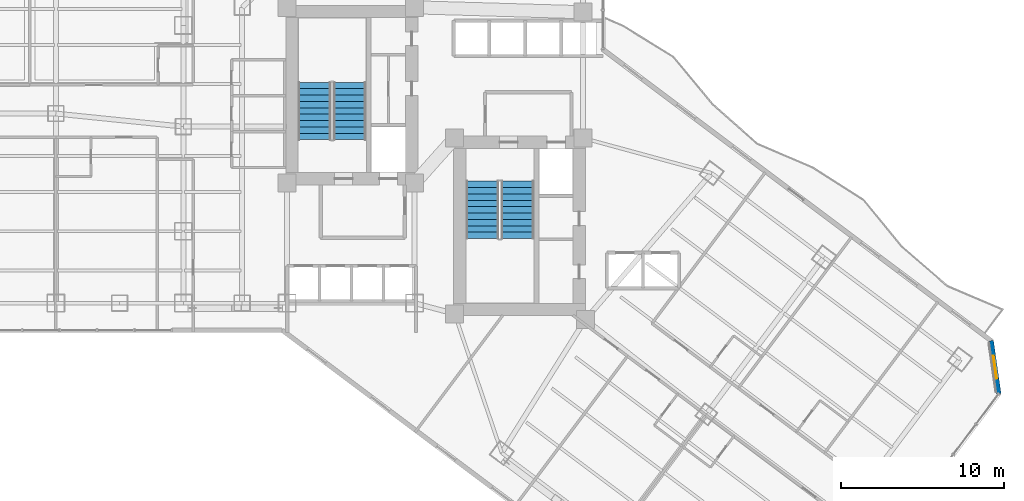
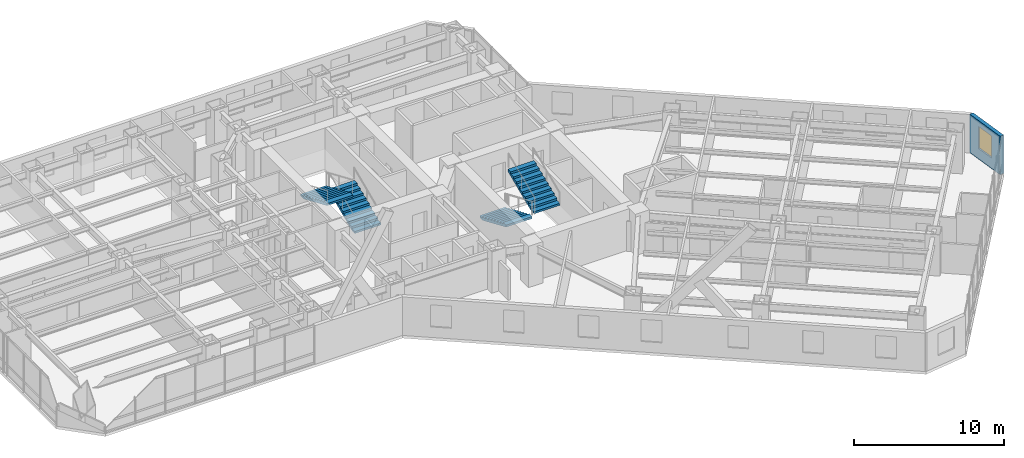
# One storey, part 28 of 33: 4 stair flights, 1 wall, 1 window, 1 opening, 2 elements without a shape of their own.
"""IFC4 building model written with IfcOpenShell, lengths in metres."""

from ifc_helpers import new_model, si_unit, direction, frame, frame_2d, origin, place, context, subcontext, project, spatial, polyline, rectangle, outline, extrude, material, layer, layer_set, type_object, element, fill, aggregate, save


model = new_model("IFC4")

# Units and contexts
model_context = context("Model", 3, precision=1e-05, world=origin(), true_north=direction((0.0, 1.0)))
body_context = subcontext(model_context, "Body", "Model", "MODEL_VIEW")
ifc_project = project(units=[si_unit("LENGTHUNIT", "METRE"), si_unit("AREAUNIT", "SQUARE_METRE"), si_unit("VOLUMEUNIT", "CUBIC_METRE"), si_unit("PLANEANGLEUNIT", "RADIAN"), si_unit("MASSUNIT", "GRAM", prefix="KILO")], contexts=[model_context])

# Site, building, storey
site_placement = place(None, origin())
site = spatial("IfcSite", under=ifc_project, at=site_placement, CompositionType="ELEMENT")
building_placement = place(site_placement, origin())
building = spatial("IfcBuilding", under=site, at=building_placement, Name="Hatsunagi Terrace Concourse", CompositionType="ELEMENT")
storey_placement = place(building_placement, frame((0.0, 0.0, 53.35009765625)))
storey = spatial("IfcBuildingStorey", under=building, at=storey_placement, Name="L13", CompositionType="ELEMENT", Elevation=53.35009765625)

# Wall, opening, window
ifc_material_1 = material(Name="Autoclaved Lightweight Concrete and Terracotta Cladding", Category="masonry")
ifc_layer = layer(ifc_material_1, 0.280029296875)
ifc_layer_set = layer_set([ifc_layer], Name="TerracottaSpandrelWall_280")
wall_type = type_object("IfcWallType", Name="TerracottaSpandrelWall_280", PredefinedType="STANDARD", material=ifc_layer_set)
wall_placement = place(storey_placement, frame((68.6298828125, 22.903076171875, 0.0), z_axis=(0.0, 0.0, 1.0), x_axis=(0.141285803956, -0.989968848803, 0.0)))
wall = element("IfcWall", 1, at=wall_placement, inside=storey, type_object=wall_type, Name="Exterior Spandrel Wall EW-L13-02", PredefinedType="STANDARD", context=body_context, shape_type="SweptSolid", body=[
    extrude(rectangle(XDim=3.278076171875, YDim=0.280029296875, at=frame_2d((1.63916015625, 0.0))), origin(), (0.0, 0.0, 1.0), 3.1298828125),
])
opening_placement = place(wall_placement, frame((0.93896484375, 0.0, 0.85009765625)))
opening = element("IfcOpeningElement", 2, at=opening_placement, cuts=wall, Name="Opening WIN-02", PredefinedType="OPENING", context=body_context, shape_type="SweptSolid", body=[
    extrude(rectangle(XDim=1.39990234375, YDim=1.800048828125, at=frame_2d((0.699951171875, 0.89990234375))), frame((0.0, 0.14990234375, 0.0), z_axis=(0.0, -1.0, 0.0), x_axis=(1.0, 0.0, 0.0)), (0.0, 0.0, 1.0), 0.300048828125),
])
ifc_material_2 = material(Name="Thermally Broken Aluminium and Low-E Triple Glazing", Category="aluminium")
window_type = type_object("IfcWindowType", Name="HotelOperableVentWindow_1400x1800", PartitioningType="DOUBLE_PANEL_VERTICAL", PredefinedType="WINDOW", material=ifc_material_2)
window_placement = place(opening_placement, origin())
window = element("IfcWindow", 3, at=window_placement, inside=storey, type_object=window_type, Name="Hotel Guestroom Window L13-02-1", OverallHeight=1.800048828125, OverallWidth=1.39990234375, PartitioningType="SINGLE_PANEL", PredefinedType="WINDOW", context=body_context, shape_type="SweptSolid", body=[
    extrude(rectangle(XDim=1.39990234375, YDim=1.800048828125, at=frame_2d((0.699951171875, 0.89990234375))), frame((0.0, 0.030029296875, 0.0), z_axis=(0.0, -1.0, 0.0), x_axis=(1.0, 0.0, 0.0)), (0.0, 0.0, 1.0), 0.06005859375),
])
fill(opening, window)

# Stair, stair flights
ifc_material_3 = material(Name="Concrete Fc42", Category="concrete")
stair_type = type_object("IfcStairType", Name="DoglegExitStair_Tower2000_20R_168", PredefinedType="HALF_TURN_STAIR", material=ifc_material_3)
stair_1_placement = place(storey_placement, origin())
stair_1 = element("IfcStair", 4, at=stair_1_placement, inside=storey, type_object=stair_type, Name="L13 Core A Protected Exit Stair ST-A", PredefinedType="HALF_TURN_STAIR")
ifc_material_4 = material(Name="Concrete Fc42", Category="concrete")
stair_flight_type = type_object("IfcStairFlightType", Name="DoglegStairFlight_Tower2000_20R_168", PredefinedType="STRAIGHT", material=ifc_material_4)
stair_flight_1_placement = place(storey_placement, frame((29.3798828125, 35.199951171875, 0.0), z_axis=(0.0, 0.0, 1.0), x_axis=(0.0, 1.0, 0.0)))
stair_flight_1 = element("IfcStairFlight", 5, at=stair_flight_1_placement, type_object=stair_flight_type, Name="ST-A flight 1", NumberOfRisers=10, NumberOfTreads=9, PredefinedType="STRAIGHT", RiserHeight=0.1675, TreadLength=0.39, context=body_context, shape_type="SweptSolid", body=[
    extrude(outline(polyline([(0.0, 0.0), (0.0, 0.16748046875), (0.389892578125, 0.16748046875), (0.389892578125, 0.3349609375), (0.780029296875, 0.3349609375), (0.780029296875, 0.50244140625), (1.169921875, 0.50244140625), (1.169921875, 0.669921875), (1.56005859375, 0.669921875), (1.56005859375, 0.83740234375), (1.949951171875, 0.83740234375), (1.949951171875, 1.0048828125), (2.340087890625, 1.0048828125), (2.340087890625, 1.172607421875), (2.72998046875, 1.172607421875), (2.72998046875, 1.340087890625), (3.1201171875, 1.340087890625), (3.1201171875, 1.507568359375), (3.510009765625, 1.507568359375), (3.510009765625, 1.675048828125), (3.510009765625, 1.34423828125), (0.3798828125, 0.0), (0.0, 0.0)])), frame((0.0, 1.0, 0.0), z_axis=(0.0, -1.0, 0.0), x_axis=(1.0, 0.0, 0.0)), (0.0, 0.0, 1.0), 2.0),
])
stair_flight_2_placement = place(storey_placement, frame((27.22998046875, 38.7099609375, 1.6748046875), z_axis=(0.0, 0.0, 1.0), x_axis=(0.0, -1.0, 0.0)))
stair_flight_2 = element("IfcStairFlight", 6, at=stair_flight_2_placement, type_object=stair_flight_type, Name="ST-A flight 2", NumberOfRisers=10, NumberOfTreads=9, PredefinedType="STRAIGHT", RiserHeight=0.1675, TreadLength=0.39, context=body_context, shape_type="SweptSolid", body=[
    extrude(outline(polyline([(0.0, 0.0), (0.0, 0.16748046875), (0.389892578125, 0.16748046875), (0.389892578125, 0.3349609375), (0.780029296875, 0.3349609375), (0.780029296875, 0.50244140625), (1.169921875, 0.50244140625), (1.169921875, 0.669921875), (1.56005859375, 0.669921875), (1.56005859375, 0.83740234375), (1.949951171875, 0.83740234375), (1.949951171875, 1.0048828125), (2.340087890625, 1.0048828125), (2.340087890625, 1.172607421875), (2.72998046875, 1.172607421875), (2.72998046875, 1.340087890625), (3.1201171875, 1.340087890625), (3.1201171875, 1.507568359375), (3.510009765625, 1.507568359375), (3.510009765625, 1.675048828125), (3.510009765625, 1.34423828125), (0.3798828125, 0.0), (0.0, 0.0)])), frame((0.0, 1.0, 0.0), z_axis=(0.0, -1.0, 0.0), x_axis=(1.0, 0.0, 0.0)), (0.0, 0.0, 1.0), 2.0),
])
aggregate(stair_1, [stair_flight_1, stair_flight_2])

stair_2_placement = place(storey_placement, origin())
stair_2 = element("IfcStair", 7, at=stair_2_placement, inside=storey, type_object=stair_type, Name="L13 Core B Protected Exit Stair ST-B", PredefinedType="HALF_TURN_STAIR")
stair_flight_3_placement = place(storey_placement, frame((37.5, 32.659912109375, 0.0), z_axis=(0.0, 0.0, 1.0), x_axis=(0.0, -1.0, 0.0)))
stair_flight_3 = element("IfcStairFlight", 8, at=stair_flight_3_placement, type_object=stair_flight_type, Name="ST-B flight 1", NumberOfRisers=10, NumberOfTreads=9, PredefinedType="STRAIGHT", RiserHeight=0.1675, TreadLength=0.39, context=body_context, shape_type="SweptSolid", body=[
    extrude(outline(polyline([(0.0, 0.0), (0.0, 0.16748046875), (0.389892578125, 0.16748046875), (0.389892578125, 0.3349609375), (0.780029296875, 0.3349609375), (0.780029296875, 0.50244140625), (1.169921875, 0.50244140625), (1.169921875, 0.669921875), (1.56005859375, 0.669921875), (1.56005859375, 0.83740234375), (1.949951171875, 0.83740234375), (1.949951171875, 1.0048828125), (2.340087890625, 1.0048828125), (2.340087890625, 1.172607421875), (2.72998046875, 1.172607421875), (2.72998046875, 1.340087890625), (3.1201171875, 1.340087890625), (3.1201171875, 1.507568359375), (3.510009765625, 1.507568359375), (3.510009765625, 1.675048828125), (3.510009765625, 1.34423828125), (0.3798828125, 0.0), (0.0, 0.0)])), frame((0.0, 1.0, 0.0), z_axis=(0.0, -1.0, 0.0), x_axis=(1.0, 0.0, 0.0)), (0.0, 0.0, 1.0), 2.0),
])
stair_flight_4_placement = place(storey_placement, frame((39.64990234375, 29.14990234375, 1.6748046875), z_axis=(0.0, 0.0, 1.0), x_axis=(0.0, 1.0, 0.0)))
stair_flight_4 = element("IfcStairFlight", 9, at=stair_flight_4_placement, type_object=stair_flight_type, Name="ST-B flight 2", NumberOfRisers=10, NumberOfTreads=9, PredefinedType="STRAIGHT", RiserHeight=0.1675, TreadLength=0.39, context=body_context, shape_type="SweptSolid", body=[
    extrude(outline(polyline([(0.0, 0.0), (0.0, 0.16748046875), (0.389892578125, 0.16748046875), (0.389892578125, 0.3349609375), (0.780029296875, 0.3349609375), (0.780029296875, 0.50244140625), (1.169921875, 0.50244140625), (1.169921875, 0.669921875), (1.56005859375, 0.669921875), (1.56005859375, 0.83740234375), (1.949951171875, 0.83740234375), (1.949951171875, 1.0048828125), (2.340087890625, 1.0048828125), (2.340087890625, 1.172607421875), (2.72998046875, 1.172607421875), (2.72998046875, 1.340087890625), (3.1201171875, 1.340087890625), (3.1201171875, 1.507568359375), (3.510009765625, 1.507568359375), (3.510009765625, 1.675048828125), (3.510009765625, 1.34423828125), (0.3798828125, 0.0), (0.0, 0.0)])), frame((0.0, 1.0, 0.0), z_axis=(0.0, -1.0, 0.0), x_axis=(1.0, 0.0, 0.0)), (0.0, 0.0, 1.0), 2.0),
])
aggregate(stair_2, [stair_flight_3, stair_flight_4])

save(model, "model.ifc")
